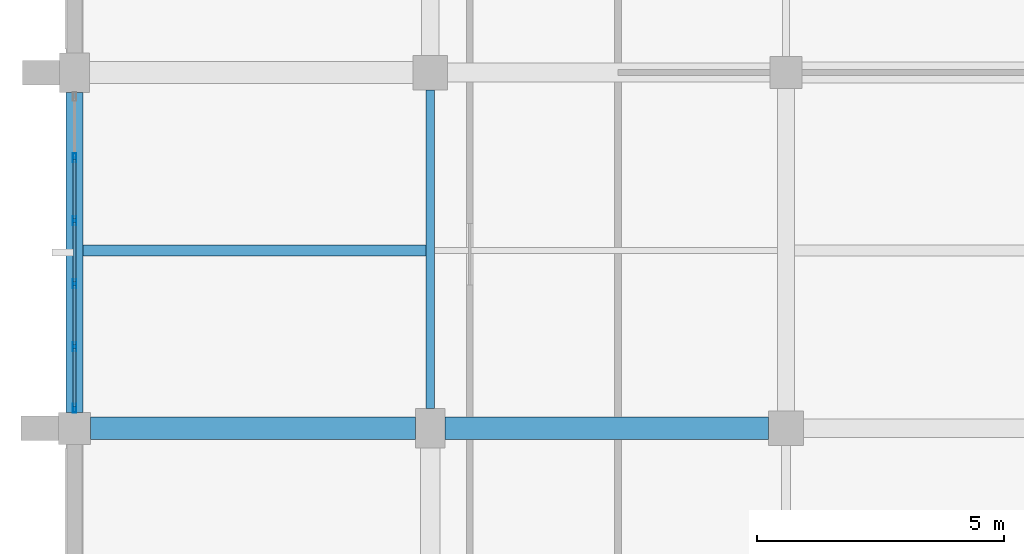
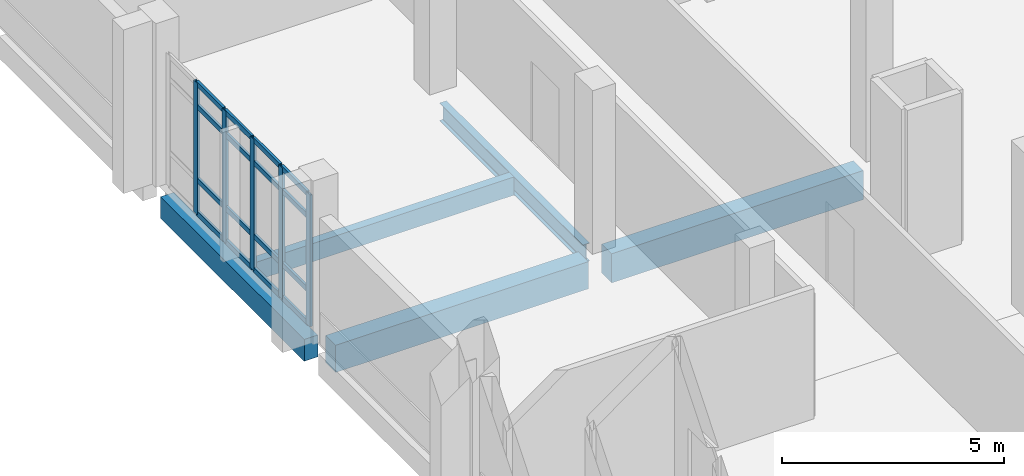
# One storey, part 34 of 116: 21 members, 5 beams, 1 element without a shape of its own.
"""IFC4 building model written with IfcOpenShell, lengths in metres."""

from ifc_helpers import new_model, si_unit, direction, frame, origin, origin_2d, place, context, subcontext, project, spatial, rectangle, hollow_rectangle, i_section, extrude, material, material_profile, profile_set, type_object, element, aggregate, save


model = new_model("IFC4")

# Units and contexts
model_context = context("Model", 3, precision=1e-05, world=origin(), true_north=direction((0.0, 1.0)))
body_context = subcontext(model_context, "Body", "Model", "MODEL_VIEW")
ifc_project = project(units=[si_unit("LENGTHUNIT", "METRE"), si_unit("AREAUNIT", "SQUARE_METRE"), si_unit("VOLUMEUNIT", "CUBIC_METRE"), si_unit("PLANEANGLEUNIT", "RADIAN"), si_unit("MASSUNIT", "GRAM", prefix="KILO")], contexts=[model_context])

# Site, building, storey
site_placement = place(None, origin())
site = spatial("IfcSite", under=ifc_project, at=site_placement, CompositionType="ELEMENT")
building_placement = place(site_placement, origin())
building = spatial("IfcBuilding", under=site, at=building_placement, Name="Kalluvel Institute of Natural Sciences", CompositionType="ELEMENT")
storey_placement = place(building_placement, frame((0.0, 0.0, 14.39990234375)))
storey = spatial("IfcBuildingStorey", under=building, at=storey_placement, Name="L03", CompositionType="ELEMENT", Elevation=14.39990234375)

# Beams
ifc_material_1 = material(Name="Steel E350 Grade 350", Category="steel")
ifc_material_profile_1 = material_profile(ifc_material_1, i_section(OverallWidth=0.179931640625, OverallDepth=0.5, WebThickness=0.01025390625, FlangeThickness=0.01708984375, FilletRadius=0.01708984375, at=origin_2d()), Name="ISMB 500")
ifc_profile_set_1 = profile_set([ifc_material_profile_1], Name="Steel E350 Grade 350")
beam_type_1 = type_object("IfcBeamType", Name="BM-ISMB500", PredefinedType="BEAM", material=ifc_profile_set_1)
beam_1_placement = place(storey_placement, frame((21.199951171875, 72.0, -0.5498046875), z_axis=(0.0, 1.0, 0.0), x_axis=(-1.0, 0.0, 0.0)))
element("IfcBeam", 1, at=beam_1_placement, inside=storey, type_object=beam_type_1, Name="L03 girder GIR-L03-NS-X212-Y716", PredefinedType="BEAM", context=body_context, shape_type="SweptSolid", body=[
    extrude(i_section(OverallWidth=0.179931640625, OverallDepth=0.5, WebThickness=0.01025390625, FlangeThickness=0.01708984375, FilletRadius=0.01708984375, at=origin_2d()), origin(), (0.0, 0.0, 1.0), 6.449951171875),
])
ifc_material_2 = material(Name="Concrete M40", Category="concrete")
ifc_material_profile_2 = material_profile(ifc_material_2, rectangle(XDim=0.449951171875, YDim=0.75, at=origin_2d()), Name="RCB 450x750")
ifc_profile_set_2 = profile_set([ifc_material_profile_2], Name="Concrete M40")
beam_type_2 = type_object("IfcBeamType", Name="BM-RC450x750", PredefinedType="BEAM", material=ifc_profile_set_2)
beam_2_placement = place(storey_placement, frame((14.324951171875, 71.60009765625, -0.6748046875), z_axis=(1.0, 0.0, 0.0), x_axis=(0.0, 1.0, 0.0)))
element("IfcBeam", 2, at=beam_2_placement, inside=storey, type_object=beam_type_2, Name="L03 girder GIR-L03-EW-X140-Y716", PredefinedType="BEAM", context=body_context, shape_type="SweptSolid", body=[
    extrude(rectangle(XDim=0.449951171875, YDim=0.75, at=origin_2d()), origin(), (0.0, 0.0, 1.0), 6.574951171875),
])
ifc_material_profile_3 = material_profile(ifc_material_2, rectangle(XDim=0.449951171875, YDim=0.800048828125, at=origin_2d()), Name="RCB 450x800")
ifc_profile_set_3 = profile_set([ifc_material_profile_3], Name="Concrete M40")
beam_type_3 = type_object("IfcBeamType", Name="BM-RC450x800", PredefinedType="BEAM", material=ifc_profile_set_3)
beam_3_placement = place(storey_placement, frame((21.5, 71.60009765625, -0.699951171875), z_axis=(1.0, 0.0, 0.0), x_axis=(0.0, 1.0, 0.0)))
element("IfcBeam", 3, at=beam_3_placement, inside=storey, type_object=beam_type_3, Name="L03 girder GIR-L03-EW-X212-Y716", PredefinedType="BEAM", context=body_context, shape_type="SweptSolid", body=[
    extrude(rectangle(XDim=0.449951171875, YDim=0.800048828125, at=origin_2d()), origin(), (0.0, 0.0, 1.0), 6.550048828125),
])

# Curtain wall, members
ifc_material_3 = material(Name="Aluminium AW-6063 T6", Category="aluminium")
curtain_wall_type = type_object("IfcCurtainWallType", Name="CW-DRY-45", PredefinedType="USERDEFINED", material=ifc_material_3)
curtain_wall_placement = place(storey_placement, origin())
curtain_wall = element("IfcCurtainWall", 4, at=curtain_wall_placement, inside=storey, type_object=curtain_wall_type, Name="L03 Gothic lancet curtain wall CWA-L03-X140-Y720", ObjectType="UNITISED LANCET FACADE", PredefinedType="USERDEFINED")
ifc_material_profile_4 = material_profile(ifc_material_3, hollow_rectangle(XDim=0.06494140625, YDim=0.179931640625, WallThickness=0.00439453125, at=origin_2d()), Name="CWM 65x180")
ifc_profile_set_4 = profile_set([ifc_material_profile_4], Name="Aluminium AW-6063 T6")
member_type_1 = type_object("IfcMemberType", Name="CWM-65x180", PredefinedType="MULLION", material=ifc_profile_set_4)
member_1_placement = place(storey_placement, frame((14.0, 72.007568359375, 0.0), z_axis=(0.0, 0.0, 1.0), x_axis=(-1.0, 0.0, 0.0)))
member_1 = element("IfcMember", 5, at=member_1_placement, type_object=member_type_1, Name="CW-03 mullion 1", PredefinedType="MULLION", context=body_context, shape_type="SweptSolid", body=[
    extrude(hollow_rectangle(XDim=0.06494140625, YDim=0.179931640625, WallThickness=0.00439453125, at=origin_2d()), origin(), (0.0, 0.0, 1.0), 3.6201171875),
])
member_2_placement = place(storey_placement, frame((14.0, 73.25, 0.0), z_axis=(0.0, 0.0, 1.0), x_axis=(-1.0, 0.0, 0.0)))
member_2 = element("IfcMember", 6, at=member_2_placement, type_object=member_type_1, Name="CW-03 mullion 2", PredefinedType="MULLION", context=body_context, shape_type="SweptSolid", body=[
    extrude(hollow_rectangle(XDim=0.06494140625, YDim=0.179931640625, WallThickness=0.00439453125, at=origin_2d()), origin(), (0.0, 0.0, 1.0), 3.6201171875),
])
member_3_placement = place(storey_placement, frame((14.0, 74.52490234375, 0.0), z_axis=(0.0, 0.0, 1.0), x_axis=(-1.0, 0.0, 0.0)))
member_3 = element("IfcMember", 7, at=member_3_placement, type_object=member_type_1, Name="CW-03 mullion 3", PredefinedType="MULLION", context=body_context, shape_type="SweptSolid", body=[
    extrude(hollow_rectangle(XDim=0.06494140625, YDim=0.179931640625, WallThickness=0.00439453125, at=origin_2d()), origin(), (0.0, 0.0, 1.0), 3.6201171875),
])
member_4_placement = place(storey_placement, frame((14.0, 75.800048828125, 0.0), z_axis=(0.0, 0.0, 1.0), x_axis=(-1.0, 0.0, 0.0)))
member_4 = element("IfcMember", 8, at=member_4_placement, type_object=member_type_1, Name="CW-03 mullion 4", PredefinedType="MULLION", context=body_context, shape_type="SweptSolid", body=[
    extrude(hollow_rectangle(XDim=0.06494140625, YDim=0.179931640625, WallThickness=0.00439453125, at=origin_2d()), origin(), (0.0, 0.0, 1.0), 3.6201171875),
])
member_5_placement = place(storey_placement, frame((14.0, 77.074951171875, 0.0), z_axis=(0.0, 0.0, 1.0), x_axis=(-1.0, 0.0, 0.0)))
member_5 = element("IfcMember", 9, at=member_5_placement, type_object=member_type_1, Name="CW-03 mullion 5", PredefinedType="MULLION", context=body_context, shape_type="SweptSolid", body=[
    extrude(hollow_rectangle(XDim=0.06494140625, YDim=0.179931640625, WallThickness=0.00439453125, at=origin_2d()), origin(), (0.0, 0.0, 1.0), 3.6201171875),
])
ifc_material_profile_5 = material_profile(ifc_material_3, hollow_rectangle(XDim=0.06494140625, YDim=0.139892578125, WallThickness=0.00439453125, at=origin_2d()), Name="CWT 65x140")
ifc_profile_set_5 = profile_set([ifc_material_profile_5], Name="Aluminium AW-6063 T6")
member_type_2 = type_object("IfcMemberType", Name="CWT-65x140", PredefinedType="USERDEFINED", material=ifc_profile_set_5)
member_6_placement = place(storey_placement, frame((14.0, 72.0400390625, 0.03271484375), z_axis=(0.0, 1.0, 0.0), x_axis=(-1.0, 0.0, 0.0)))
member_6 = element("IfcMember", 10, at=member_6_placement, type_object=member_type_2, Name="CW-03 transom 1.1", ObjectType="TRANSOM", PredefinedType="USERDEFINED", context=body_context, shape_type="SweptSolid", body=[
    extrude(hollow_rectangle(XDim=0.06494140625, YDim=0.139892578125, WallThickness=0.00439453125, at=origin_2d()), origin(), (0.0, 0.0, 1.0), 1.177490234375),
])
member_7_placement = place(storey_placement, frame((14.0, 72.0400390625, 0.9501953125), z_axis=(0.0, 1.0, 0.0), x_axis=(-1.0, 0.0, 0.0)))
member_7 = element("IfcMember", 11, at=member_7_placement, type_object=member_type_2, Name="CW-03 transom 1.2", ObjectType="TRANSOM", PredefinedType="USERDEFINED", context=body_context, shape_type="SweptSolid", body=[
    extrude(hollow_rectangle(XDim=0.06494140625, YDim=0.139892578125, WallThickness=0.00439453125, at=origin_2d()), origin(), (0.0, 0.0, 1.0), 1.177490234375),
])
member_8_placement = place(storey_placement, frame((14.0, 72.0400390625, 2.97021484375), z_axis=(0.0, 1.0, 0.0), x_axis=(-1.0, 0.0, 0.0)))
member_8 = element("IfcMember", 12, at=member_8_placement, type_object=member_type_2, Name="CW-03 transom 1.3", ObjectType="TRANSOM", PredefinedType="USERDEFINED", context=body_context, shape_type="SweptSolid", body=[
    extrude(hollow_rectangle(XDim=0.06494140625, YDim=0.139892578125, WallThickness=0.00439453125, at=origin_2d()), origin(), (0.0, 0.0, 1.0), 1.177490234375),
])
member_9_placement = place(storey_placement, frame((14.0, 72.0400390625, 3.587646484375), z_axis=(0.0, 1.0, 0.0), x_axis=(-1.0, 0.0, 0.0)))
member_9 = element("IfcMember", 13, at=member_9_placement, type_object=member_type_2, Name="CW-03 transom 1.4", ObjectType="TRANSOM", PredefinedType="USERDEFINED", context=body_context, shape_type="SweptSolid", body=[
    extrude(hollow_rectangle(XDim=0.06494140625, YDim=0.139892578125, WallThickness=0.00439453125, at=origin_2d()), origin(), (0.0, 0.0, 1.0), 1.177490234375),
])
member_10_placement = place(storey_placement, frame((14.0, 73.282470703125, 0.03271484375), z_axis=(0.0, 1.0, 0.0), x_axis=(-1.0, 0.0, 0.0)))
member_10 = element("IfcMember", 14, at=member_10_placement, type_object=member_type_2, Name="CW-03 transom 2.1", ObjectType="TRANSOM", PredefinedType="USERDEFINED", context=body_context, shape_type="SweptSolid", body=[
    extrude(hollow_rectangle(XDim=0.06494140625, YDim=0.139892578125, WallThickness=0.00439453125, at=origin_2d()), origin(), (0.0, 0.0, 1.0), 1.2099609375),
])
member_11_placement = place(storey_placement, frame((14.0, 73.282470703125, 0.9501953125), z_axis=(0.0, 1.0, 0.0), x_axis=(-1.0, 0.0, 0.0)))
member_11 = element("IfcMember", 15, at=member_11_placement, type_object=member_type_2, Name="CW-03 transom 2.2", ObjectType="TRANSOM", PredefinedType="USERDEFINED", context=body_context, shape_type="SweptSolid", body=[
    extrude(hollow_rectangle(XDim=0.06494140625, YDim=0.139892578125, WallThickness=0.00439453125, at=origin_2d()), origin(), (0.0, 0.0, 1.0), 1.2099609375),
])
member_12_placement = place(storey_placement, frame((14.0, 73.282470703125, 2.97021484375), z_axis=(0.0, 1.0, 0.0), x_axis=(-1.0, 0.0, 0.0)))
member_12 = element("IfcMember", 16, at=member_12_placement, type_object=member_type_2, Name="CW-03 transom 2.3", ObjectType="TRANSOM", PredefinedType="USERDEFINED", context=body_context, shape_type="SweptSolid", body=[
    extrude(hollow_rectangle(XDim=0.06494140625, YDim=0.139892578125, WallThickness=0.00439453125, at=origin_2d()), origin(), (0.0, 0.0, 1.0), 1.2099609375),
])
member_13_placement = place(storey_placement, frame((14.0, 73.282470703125, 3.587646484375), z_axis=(0.0, 1.0, 0.0), x_axis=(-1.0, 0.0, 0.0)))
member_13 = element("IfcMember", 17, at=member_13_placement, type_object=member_type_2, Name="CW-03 transom 2.4", ObjectType="TRANSOM", PredefinedType="USERDEFINED", context=body_context, shape_type="SweptSolid", body=[
    extrude(hollow_rectangle(XDim=0.06494140625, YDim=0.139892578125, WallThickness=0.00439453125, at=origin_2d()), origin(), (0.0, 0.0, 1.0), 1.2099609375),
])
member_14_placement = place(storey_placement, frame((14.0, 74.5576171875, 0.03271484375), z_axis=(0.0, 1.0, 0.0), x_axis=(-1.0, 0.0, 0.0)))
member_14 = element("IfcMember", 18, at=member_14_placement, type_object=member_type_2, Name="CW-03 transom 3.1", ObjectType="TRANSOM", PredefinedType="USERDEFINED", context=body_context, shape_type="SweptSolid", body=[
    extrude(hollow_rectangle(XDim=0.06494140625, YDim=0.139892578125, WallThickness=0.00439453125, at=origin_2d()), origin(), (0.0, 0.0, 1.0), 1.2099609375),
])
member_15_placement = place(storey_placement, frame((14.0, 74.5576171875, 0.9501953125), z_axis=(0.0, 1.0, 0.0), x_axis=(-1.0, 0.0, 0.0)))
member_15 = element("IfcMember", 19, at=member_15_placement, type_object=member_type_2, Name="CW-03 transom 3.2", ObjectType="TRANSOM", PredefinedType="USERDEFINED", context=body_context, shape_type="SweptSolid", body=[
    extrude(hollow_rectangle(XDim=0.06494140625, YDim=0.139892578125, WallThickness=0.00439453125, at=origin_2d()), origin(), (0.0, 0.0, 1.0), 1.2099609375),
])
member_16_placement = place(storey_placement, frame((14.0, 74.5576171875, 2.97021484375), z_axis=(0.0, 1.0, 0.0), x_axis=(-1.0, 0.0, 0.0)))
member_16 = element("IfcMember", 20, at=member_16_placement, type_object=member_type_2, Name="CW-03 transom 3.3", ObjectType="TRANSOM", PredefinedType="USERDEFINED", context=body_context, shape_type="SweptSolid", body=[
    extrude(hollow_rectangle(XDim=0.06494140625, YDim=0.139892578125, WallThickness=0.00439453125, at=origin_2d()), origin(), (0.0, 0.0, 1.0), 1.2099609375),
])
member_17_placement = place(storey_placement, frame((14.0, 74.5576171875, 3.587646484375), z_axis=(0.0, 1.0, 0.0), x_axis=(-1.0, 0.0, 0.0)))
member_17 = element("IfcMember", 21, at=member_17_placement, type_object=member_type_2, Name="CW-03 transom 3.4", ObjectType="TRANSOM", PredefinedType="USERDEFINED", context=body_context, shape_type="SweptSolid", body=[
    extrude(hollow_rectangle(XDim=0.06494140625, YDim=0.139892578125, WallThickness=0.00439453125, at=origin_2d()), origin(), (0.0, 0.0, 1.0), 1.2099609375),
])
member_18_placement = place(storey_placement, frame((14.0, 75.83251953125, 0.03271484375), z_axis=(0.0, 1.0, 0.0), x_axis=(-1.0, 0.0, 0.0)))
member_18 = element("IfcMember", 22, at=member_18_placement, type_object=member_type_2, Name="CW-03 transom 4.1", ObjectType="TRANSOM", PredefinedType="USERDEFINED", context=body_context, shape_type="SweptSolid", body=[
    extrude(hollow_rectangle(XDim=0.06494140625, YDim=0.139892578125, WallThickness=0.00439453125, at=origin_2d()), origin(), (0.0, 0.0, 1.0), 1.2099609375),
])
member_19_placement = place(storey_placement, frame((14.0, 75.83251953125, 0.9501953125), z_axis=(0.0, 1.0, 0.0), x_axis=(-1.0, 0.0, 0.0)))
member_19 = element("IfcMember", 23, at=member_19_placement, type_object=member_type_2, Name="CW-03 transom 4.2", ObjectType="TRANSOM", PredefinedType="USERDEFINED", context=body_context, shape_type="SweptSolid", body=[
    extrude(hollow_rectangle(XDim=0.06494140625, YDim=0.139892578125, WallThickness=0.00439453125, at=origin_2d()), origin(), (0.0, 0.0, 1.0), 1.2099609375),
])
member_20_placement = place(storey_placement, frame((14.0, 75.83251953125, 2.97021484375), z_axis=(0.0, 1.0, 0.0), x_axis=(-1.0, 0.0, 0.0)))
member_20 = element("IfcMember", 24, at=member_20_placement, type_object=member_type_2, Name="CW-03 transom 4.3", ObjectType="TRANSOM", PredefinedType="USERDEFINED", context=body_context, shape_type="SweptSolid", body=[
    extrude(hollow_rectangle(XDim=0.06494140625, YDim=0.139892578125, WallThickness=0.00439453125, at=origin_2d()), origin(), (0.0, 0.0, 1.0), 1.2099609375),
])
member_21_placement = place(storey_placement, frame((14.0, 75.83251953125, 3.587646484375), z_axis=(0.0, 1.0, 0.0), x_axis=(-1.0, 0.0, 0.0)))
member_21 = element("IfcMember", 25, at=member_21_placement, type_object=member_type_2, Name="CW-03 transom 4.4", ObjectType="TRANSOM", PredefinedType="USERDEFINED", context=body_context, shape_type="SweptSolid", body=[
    extrude(hollow_rectangle(XDim=0.06494140625, YDim=0.139892578125, WallThickness=0.00439453125, at=origin_2d()), origin(), (0.0, 0.0, 1.0), 1.2099609375),
])
aggregate(curtain_wall, [member_1, member_2, member_3, member_4, member_5, member_6, member_7, member_8, member_9, member_10, member_11, member_12, member_13, member_14, member_15, member_16, member_17, member_18, member_19, member_20, member_21])

# Beams
ifc_material_profile_6 = material_profile(ifc_material_2, rectangle(XDim=0.35009765625, YDim=0.60009765625, at=origin_2d()), Name="RCB 350x600")
ifc_profile_set_6 = profile_set([ifc_material_profile_6], Name="Concrete M40")
beam_type_4 = type_object("IfcBeamType", Name="SP-RC350x600", PredefinedType="SPANDREL", material=ifc_profile_set_6)
beam_4_placement = place(storey_placement, frame((14.0, 71.925048828125, -0.599853515625), z_axis=(0.0, 1.0, 0.0), x_axis=(-1.0, 0.0, 0.0)))
element("IfcBeam", 26, at=beam_4_placement, inside=storey, type_object=beam_type_4, Name="L03 girder GIR-L03-NS-X140-Y716", PredefinedType="SPANDREL", context=body_context, shape_type="SweptSolid", body=[
    extrude(rectangle(XDim=0.35009765625, YDim=0.60009765625, at=origin_2d()), origin(), (0.0, 0.0, 1.0), 6.474853515625),
])
ifc_material_profile_7 = material_profile(ifc_material_2, rectangle(XDim=0.219970703125, YDim=0.5, at=origin_2d()), Name="WAF 220x500")
ifc_profile_set_7 = profile_set([ifc_material_profile_7], Name="Concrete M40")
beam_type_5 = type_object("IfcBeamType", Name="WJ-220x500", PredefinedType="JOIST", material=ifc_profile_set_7)
beam_5_placement = place(storey_placement, frame((14.175048828125, 75.199951171875, -0.5498046875), z_axis=(1.0, 0.0, 0.0), x_axis=(0.0, 1.0, 0.0)))
element("IfcBeam", 27, at=beam_5_placement, inside=storey, type_object=beam_type_5, Name="L03 floor rib RIB-L03-0701", PredefinedType="JOIST", context=body_context, shape_type="SweptSolid", body=[
    extrude(rectangle(XDim=0.219970703125, YDim=0.5, at=origin_2d()), origin(), (0.0, 0.0, 1.0), 6.93505859375),
])

save(model, "model.ifc")
